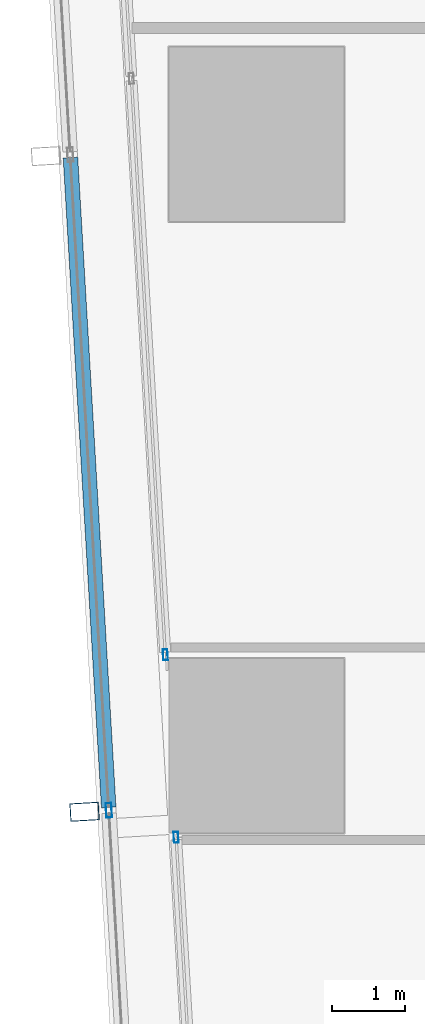
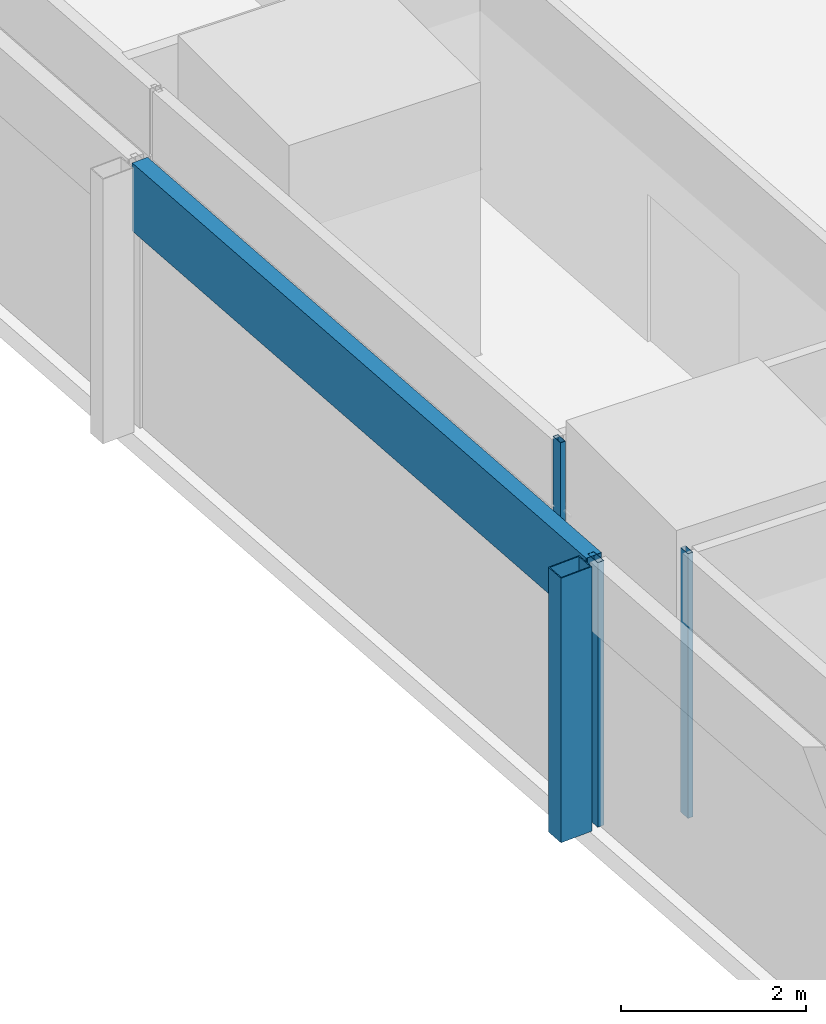
# One storey, part 4 of 37: 5 members, 3 elements without a shape of their own.
"""IFC4 building model written with IfcOpenShell, lengths in metres."""

from ifc_helpers import new_model, si_unit, direction, frame, origin, origin_2d, place, context, subcontext, project, spatial, hollow_rectangle, extrude, material, material_profile, profile_set, type_object, element, aggregate, save


model = new_model("IFC4")

# Units and contexts
model_context = context("Model", 3, precision=1e-05, world=origin(), true_north=direction((0.0, 1.0)))
body_context = subcontext(model_context, "Body", "Model", "MODEL_VIEW")
ifc_project = project(units=[si_unit("LENGTHUNIT", "METRE"), si_unit("AREAUNIT", "SQUARE_METRE"), si_unit("VOLUMEUNIT", "CUBIC_METRE"), si_unit("PLANEANGLEUNIT", "RADIAN"), si_unit("MASSUNIT", "GRAM", prefix="KILO")], contexts=[model_context])

# Site, building, storey
site_placement = place(None, origin())
site = spatial("IfcSite", under=ifc_project, at=site_placement, CompositionType="ELEMENT")
building_placement = place(site_placement, origin())
building = spatial("IfcBuilding", under=site, at=building_placement, Name="Rekha Terrace Tower", CompositionType="ELEMENT")
storey_placement = place(building_placement, frame((0.0, 0.0, 232.699951171875)))
storey = spatial("IfcBuildingStorey", under=building, at=storey_placement, Name="L59", CompositionType="ELEMENT", Elevation=232.699951171875)

# Curtain wall, member
ifc_material_1 = material(Name="Aluminium framing", Category="aluminium")
curtain_wall_type_1 = type_object("IfcCurtainWallType", Name="CW2 double skin outer glazing", PredefinedType="USERDEFINED", material=ifc_material_1)
curtain_wall_1_placement = place(storey_placement, origin())
curtain_wall_1 = element("IfcCurtainWall", 1, at=curtain_wall_1_placement, inside=storey, type_object=curtain_wall_type_1, Name="CW2 double skin outer glazing", ObjectType="DOUBLE SKIN OUTER GLAZING", PredefinedType="USERDEFINED")
ifc_material_2 = material(Name="Steel S355 with fluorocarbon finish", Category="steel")
ifc_material_profile_1 = material_profile(ifc_material_2, hollow_rectangle(XDim=0.25, YDim=0.39990234375, WallThickness=0.012451171875, at=origin_2d()), Name="RHS400x250x12.5")
ifc_profile_set_1 = profile_set([ifc_material_profile_1], Name="Steel S355 with fluorocarbon finish")
member_type_1 = type_object("IfcMemberType", Name="BL1 facade blade RHS 400 x 250", PredefinedType="USERDEFINED", material=ifc_profile_set_1)
member_1_placement = place(storey_placement, frame((6.03662109375, 24.292236328125, 0.0), z_axis=(0.0, 0.0, 1.0), x_axis=(0.058764522885, -0.998271872212, 0.0)))
member_1 = element("IfcMember", 2, at=member_1_placement, type_object=member_type_1, Name="Facade blade", ObjectType="FACADE BLADE", PredefinedType="USERDEFINED", context=body_context, shape_type="SweptSolid", body=[
    extrude(hollow_rectangle(XDim=0.25, YDim=0.39990234375, WallThickness=0.012451171875, at=origin_2d()), origin(), (0.0, 0.0, 1.0), 3.5),
])

curtain_wall_type_2 = type_object("IfcCurtainWallType", Name="CW1 double skin inner glazing", PredefinedType="USERDEFINED", material=ifc_material_1)
curtain_wall_2_placement = place(storey_placement, origin())
curtain_wall_2 = element("IfcCurtainWall", 3, at=curtain_wall_2_placement, inside=storey, type_object=curtain_wall_type_2, Name="CW1 double skin inner glazing", ObjectType="DOUBLE SKIN INNER GLAZING", PredefinedType="USERDEFINED")
ifc_material_3 = material(Name="Aluminium mullion section", Category="aluminium")
ifc_material_profile_2 = material_profile(ifc_material_3, hollow_rectangle(XDim=0.06494140625, YDim=0.14990234375, WallThickness=0.00390625, at=origin_2d()), Name="AL RHS 65x150")
ifc_profile_set_2 = profile_set([ifc_material_profile_2], Name="Aluminium mullion section")
member_type_2 = type_object("IfcMemberType", Name="CW1 mullion RHS 65 x 150", PredefinedType="MULLION", material=ifc_profile_set_2)
member_2_placement = place(storey_placement, frame((7.146728515625, 26.449462890625, 0.0), z_axis=(0.0, 0.0, 1.0), x_axis=(0.998271839267, 0.058765082551, 0.0)))
member_2 = element("IfcMember", 4, at=member_2_placement, type_object=member_type_2, Name="CW1 mullion 3", PredefinedType="MULLION", context=body_context, shape_type="SweptSolid", body=[
    extrude(hollow_rectangle(XDim=0.06494140625, YDim=0.14990234375, WallThickness=0.00390625, at=origin_2d()), origin(), (0.0, 0.0, 1.0), 3.5),
])
aggregate(curtain_wall_2, [member_2])

curtain_wall_3_placement = place(storey_placement, origin())
curtain_wall_3 = element("IfcCurtainWall", 5, at=curtain_wall_3_placement, inside=storey, type_object=curtain_wall_type_2, Name="CW1 double skin inner glazing", ObjectType="DOUBLE SKIN INNER GLAZING", PredefinedType="USERDEFINED")
member_3_placement = place(storey_placement, frame((7.294189453125, 23.94189453125, 0.0), z_axis=(0.0, 0.0, 1.0), x_axis=(0.99827183927, 0.058765082499, 0.0)))
member_3 = element("IfcMember", 6, at=member_3_placement, type_object=member_type_2, Name="CW1 mullion 1", PredefinedType="MULLION", context=body_context, shape_type="SweptSolid", body=[
    extrude(hollow_rectangle(XDim=0.06494140625, YDim=0.14990234375, WallThickness=0.00390625, at=origin_2d()), origin(), (0.0, 0.0, 1.0), 3.5),
])
aggregate(curtain_wall_3, [member_3])

# Member
ifc_material_profile_3 = material_profile(ifc_material_3, hollow_rectangle(XDim=0.080078125, YDim=0.199951171875, WallThickness=0.00390625, at=origin_2d()), Name="AL RHS 80x200")
ifc_profile_set_3 = profile_set([ifc_material_profile_3], Name="Aluminium mullion section")
member_type_3 = type_object("IfcMemberType", Name="CW2 mullion RHS 80 x 200", PredefinedType="MULLION", material=ifc_profile_set_3)
member_4_placement = place(storey_placement, frame((6.370849609375, 24.31201171875, 0.0), z_axis=(0.0, 0.0, 1.0), x_axis=(0.99827183927, 0.058765082499, 0.0)))
member_4 = element("IfcMember", 7, at=member_4_placement, type_object=member_type_3, Name="CW2 mullion 3", PredefinedType="MULLION", context=body_context, shape_type="SweptSolid", body=[
    extrude(hollow_rectangle(XDim=0.080078125, YDim=0.199951171875, WallThickness=0.00390625, at=origin_2d()), origin(), (0.0, 0.0, 1.0), 3.5),
])

ifc_material_4 = material(Name="Insulated aluminium spandrel box", Category="aluminium")
ifc_material_profile_4 = material_profile(ifc_material_4, hollow_rectangle(XDim=0.199951171875, YDim=0.89990234375, WallThickness=0.0029296875, at=origin_2d()), Name="AL SPANDREL BOX 200x900")
ifc_profile_set_4 = profile_set([ifc_material_profile_4], Name="Insulated aluminium spandrel box")
member_type_4 = type_object("IfcMemberType", Name="CW2 spandrel transom 200 x 900", PredefinedType="USERDEFINED", material=ifc_profile_set_4)
member_5_placement = place(storey_placement, frame((5.843017578125, 33.27978515625, 3.050048828125), z_axis=(0.058773229711, -0.998271359636, 0.0), x_axis=(0.998271359636, 0.058773229711, 0.0)))
member_5 = element("IfcMember", 8, at=member_5_placement, type_object=member_type_4, Name="CW2 spandrel transom 2", ObjectType="TRANSOM", PredefinedType="USERDEFINED", context=body_context, shape_type="SweptSolid", body=[
    extrude(hollow_rectangle(XDim=0.199951171875, YDim=0.89990234375, WallThickness=0.0029296875, at=origin_2d()), origin(), (0.0, 0.0, 1.0), 8.943359375),
])

aggregate(curtain_wall_1, [member_4, member_5, member_1])

save(model, "model.ifc")
